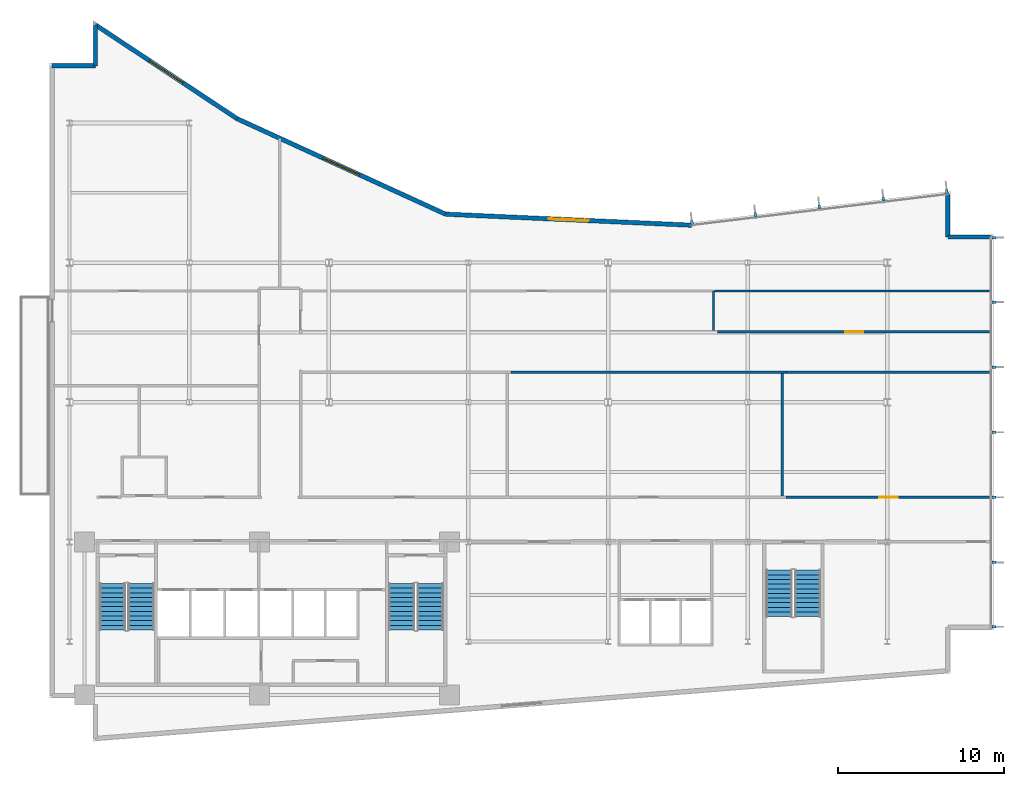
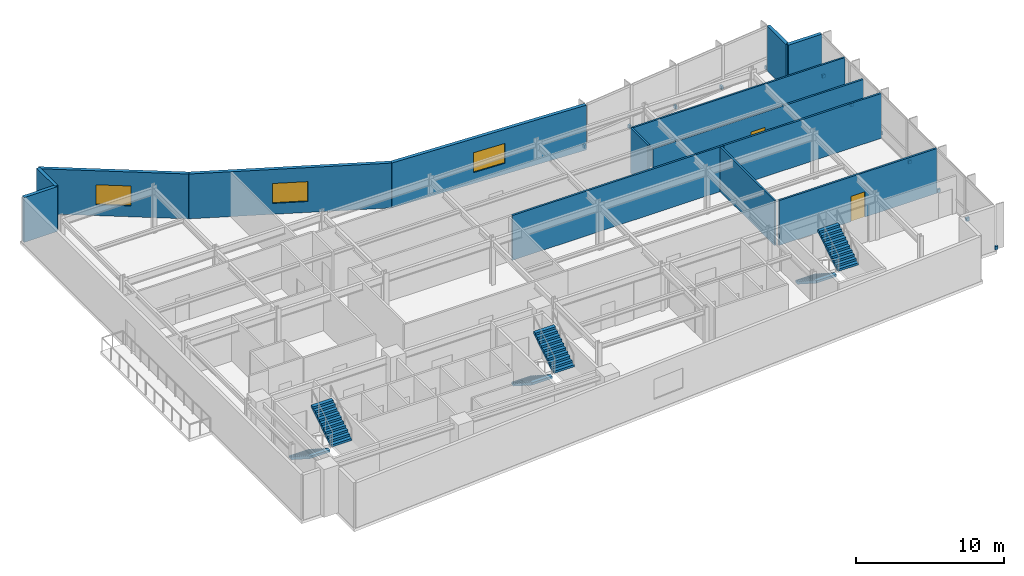
# One storey, part 12 of 16: 14 walls, 12 discrete accessories, 6 stair flights, 3 windows, 2 doors, 5 openings, 3 elements without a shape of their own.
"""IFC4 building model written with IfcOpenShell, lengths in metres."""

from ifc_helpers import new_model, si_unit, direction, frame, frame_2d, origin, origin_2d, place, context, subcontext, project, spatial, polyline, rectangle, outline, extrude, material, layer, layer_set, type_object, element, fill, aggregate, save


model = new_model("IFC4")

# Units and contexts
model_context = context("Model", 3, precision=1e-05, world=origin(), true_north=direction((0.0, 1.0)))
body_context = subcontext(model_context, "Body", "Model", "MODEL_VIEW")
ifc_project = project(units=[si_unit("LENGTHUNIT", "METRE"), si_unit("AREAUNIT", "SQUARE_METRE"), si_unit("VOLUMEUNIT", "CUBIC_METRE"), si_unit("PLANEANGLEUNIT", "RADIAN"), si_unit("MASSUNIT", "GRAM", prefix="KILO")], contexts=[model_context])

# Site, building, storey
site_placement = place(None, origin())
site = spatial("IfcSite", under=ifc_project, at=site_placement, CompositionType="ELEMENT")
building_placement = place(site_placement, origin())
building = spatial("IfcBuilding", under=site, at=building_placement, Name="Varnakote Quay Hospital", CompositionType="ELEMENT")
storey_placement = place(building_placement, frame((0.0, 0.0, 166.550048828125)))
storey = spatial("IfcBuildingStorey", under=building, at=storey_placement, Name="L41", CompositionType="ELEMENT", Elevation=166.550048828125)

# Walls
ifc_material_1 = material(Name="Precast concrete N50 (f'c 50 MPa)", Category="concrete")
ifc_layer_1 = layer(ifc_material_1, 0.260009765625)
ifc_layer_set_1 = layer_set([ifc_layer_1], Name="Precast concrete N50 (f'c 50 MPa)")
wall_type_1 = type_object("IfcWallType", Name="WL-EXT-BRICK-260", PredefinedType="STANDARD", material=ifc_layer_set_1)
wall_1_placement = place(storey_placement, frame((56.639892578125, 30.340087890625, 0.0), z_axis=(0.0, 0.0, 1.0), x_axis=(-1.0, 0.0, 0.0)))
element("IfcWall", 1, at=wall_1_placement, inside=storey, type_object=wall_type_1, Name="L41 Brick-Faced Precast Exterior Wall", PredefinedType="STANDARD", context=body_context, shape_type="SweptSolid", body=[
    extrude(rectangle(XDim=2.599853515625, YDim=0.260009765625, at=frame_2d((1.2998046875, 0.0))), origin(), (0.0, 0.0, 1.0), 3.7099609375),
])
wall_2_placement = place(storey_placement, frame((54.0400390625, 30.340087890625, 0.0), z_axis=(0.0, 0.0, 1.0), x_axis=(0.0, 1.0, 0.0)))
element("IfcWall", 2, at=wall_2_placement, inside=storey, type_object=wall_type_1, Name="L41 Brick-Faced Precast Exterior Wall", PredefinedType="STANDARD", context=body_context, shape_type="SweptSolid", body=[
    extrude(rectangle(XDim=2.579345703125, YDim=0.260009765625, at=frame_2d((1.28955078125, 0.0))), origin(), (0.0, 0.0, 1.0), 3.7099609375),
])

# Wall, opening, window
wall_3_placement = place(storey_placement, frame((38.630126953125, 31.051513671875, 0.0), z_axis=(0.0, 0.0, 1.0), x_axis=(-0.998996592956, 0.044786239663, 0.0)))
wall_3 = element("IfcWall", 3, at=wall_3_placement, inside=storey, type_object=wall_type_1, Name="L41 Brick-Faced Precast Exterior Wall", PredefinedType="STANDARD", context=body_context, shape_type="SweptSolid", body=[
    extrude(rectangle(XDim=14.827392578125, YDim=0.260009765625, at=frame_2d((7.41357421875, 0.0))), origin(), (0.0, 0.0, 1.0), 3.7099609375),
])
opening_1_placement = place(wall_3_placement, frame((6.213623046875, 0.0, 0.89990234375)))
opening_1 = element("IfcOpeningElement", 4, at=opening_1_placement, cuts=wall_3, Name="Opening WN-0175", PredefinedType="OPENING", context=body_context, shape_type="SweptSolid", body=[
    extrude(rectangle(XDim=2.39990234375, YDim=1.64990234375, at=frame_2d((1.199951171875, 0.824951171875))), frame((0.0, 0.139892578125, 0.0), z_axis=(0.0, -1.0, 0.0), x_axis=(1.0, 0.0, 0.0)), (0.0, 0.0, 1.0), 0.280029296875),
])
ifc_material_2 = material(Name="Double-glazed low-E solar glass", Category="glass")
window_type = type_object("IfcWindowType", Name="WIN-CLIN-2400x1650", PartitioningType="SINGLE_PANEL", PredefinedType="WINDOW", material=ifc_material_2)
window_1_placement = place(opening_1_placement, origin())
window_1 = element("IfcWindow", 5, at=window_1_placement, inside=storey, type_object=window_type, Name="L41 Solar-Control Clinical Window", OverallHeight=1.64990234375, OverallWidth=2.39990234375, PartitioningType="SINGLE_PANEL", PredefinedType="WINDOW", context=body_context, shape_type="SweptSolid", body=[
    extrude(rectangle(XDim=2.39990234375, YDim=1.64990234375, at=frame_2d((1.199951171875, 0.824951171875))), frame((0.0, 0.030029296875, 0.0), z_axis=(0.0, -1.0, 0.0), x_axis=(1.0, 0.0, 0.0)), (0.0, 0.0, 1.0), 0.06005859375),
])
fill(opening_1, window_1)

wall_4_placement = place(storey_placement, frame((23.817626953125, 31.715576171875, 0.0), z_axis=(0.0, 0.0, 1.0), x_axis=(-0.909209527513, 0.416338846471, 0.0)))
wall_4 = element("IfcWall", 6, at=wall_4_placement, inside=storey, type_object=wall_type_1, Name="L41 Brick-Faced Precast Exterior Wall", PredefinedType="STANDARD", context=body_context, shape_type="SweptSolid", body=[
    extrude(rectangle(XDim=13.787353515625, YDim=0.260009765625, at=frame_2d((6.8935546875, 0.0))), origin(), (0.0, 0.0, 1.0), 3.7099609375),
])
opening_2_placement = place(wall_4_placement, frame((5.693603515625, 0.0, 0.89990234375)))
opening_2 = element("IfcOpeningElement", 7, at=opening_2_placement, cuts=wall_4, Name="Opening WN-0176", PredefinedType="OPENING", context=body_context, shape_type="SweptSolid", body=[
    extrude(rectangle(XDim=2.39990234375, YDim=1.64990234375, at=frame_2d((1.199951171875, 0.824951171875))), frame((0.0, 0.139892578125, 0.0), z_axis=(0.0, -1.0, 0.0), x_axis=(1.0, 0.0, 0.0)), (0.0, 0.0, 1.0), 0.280029296875),
])
window_2_placement = place(opening_2_placement, origin())
window_2 = element("IfcWindow", 8, at=window_2_placement, inside=storey, type_object=window_type, Name="L41 Solar-Control Clinical Window", OverallHeight=1.64990234375, OverallWidth=2.39990234375, PartitioningType="SINGLE_PANEL", PredefinedType="WINDOW", context=body_context, shape_type="SweptSolid", body=[
    extrude(rectangle(XDim=2.39990234375, YDim=1.64990234375, at=frame_2d((1.199951171875, 0.824951171875))), frame((0.0, 0.030029296875, 0.0), z_axis=(0.0, -1.0, 0.0), x_axis=(1.0, 0.0, 0.0)), (0.0, 0.0, 1.0), 0.06005859375),
])
fill(opening_2, window_2)

wall_5_placement = place(storey_placement, frame((11.281982421875, 37.455810546875, 0.0), z_axis=(0.0, 0.0, 1.0), x_axis=(-0.833630474253, 0.552322580017, 0.0)))
wall_5 = element("IfcWall", 9, at=wall_5_placement, inside=storey, type_object=wall_type_1, Name="L41 Brick-Faced Precast Exterior Wall", PredefinedType="STANDARD", context=body_context, shape_type="SweptSolid", body=[
    extrude(rectangle(XDim=10.22265625, YDim=0.260009765625, at=frame_2d((5.111328125, 0.0))), origin(), (0.0, 0.0, 1.0), 3.7099609375),
])
opening_3_placement = place(wall_5_placement, frame((3.911376953125, 0.0, 0.89990234375)))
opening_3 = element("IfcOpeningElement", 10, at=opening_3_placement, cuts=wall_5, Name="Opening WN-0177", PredefinedType="OPENING", context=body_context, shape_type="SweptSolid", body=[
    extrude(rectangle(XDim=2.39990234375, YDim=1.64990234375, at=frame_2d((1.199951171875, 0.824951171875))), frame((0.0, 0.139892578125, 0.0), z_axis=(0.0, -1.0, 0.0), x_axis=(1.0, 0.0, 0.0)), (0.0, 0.0, 1.0), 0.280029296875),
])
window_3_placement = place(opening_3_placement, origin())
window_3 = element("IfcWindow", 11, at=window_3_placement, inside=storey, type_object=window_type, Name="L41 Solar-Control Clinical Window", OverallHeight=1.64990234375, OverallWidth=2.39990234375, PartitioningType="SINGLE_PANEL", PredefinedType="WINDOW", context=body_context, shape_type="SweptSolid", body=[
    extrude(rectangle(XDim=2.39990234375, YDim=1.64990234375, at=frame_2d((1.199951171875, 0.824951171875))), frame((0.0, 0.030029296875, 0.0), z_axis=(0.0, -1.0, 0.0), x_axis=(1.0, 0.0, 0.0)), (0.0, 0.0, 1.0), 0.06005859375),
])
fill(opening_3, window_3)

# Walls
wall_6_placement = place(storey_placement, frame((2.760009765625, 43.10205078125, 0.0), z_axis=(0.0, 0.0, 1.0), x_axis=(0.0, -1.0, 0.0)))
element("IfcWall", 12, at=wall_6_placement, inside=storey, type_object=wall_type_1, Name="L41 Brick-Faced Precast Exterior Wall", PredefinedType="STANDARD", context=body_context, shape_type="SweptSolid", body=[
    extrude(rectangle(XDim=2.462158203125, YDim=0.260009765625, at=frame_2d((1.23095703125, 0.0))), origin(), (0.0, 0.0, 1.0), 3.7099609375),
])
wall_7_placement = place(storey_placement, frame((2.760009765625, 40.639892578125, 0.0), z_axis=(0.0, 0.0, 1.0), x_axis=(-1.0, 0.0, 0.0)))
element("IfcWall", 13, at=wall_7_placement, inside=storey, type_object=wall_type_1, Name="L41 Brick-Faced Precast Exterior Wall", PredefinedType="STANDARD", context=body_context, shape_type="SweptSolid", body=[
    extrude(rectangle(XDim=2.60009765625, YDim=0.260009765625, at=frame_2d((1.300048828125, 0.0))), origin(), (0.0, 0.0, 1.0), 3.7099609375),
])
ifc_material_3 = material(Name="Smoke-proof clinical partition", Category="gypsum")
ifc_layer_2 = layer(ifc_material_3, 0.135009765625)
ifc_layer_set_2 = layer_set([ifc_layer_2], Name="Smoke-proof clinical partition")
wall_type_2 = type_object("IfcWallType", Name="WL-SMOKE-135", PredefinedType="PARTITIONING", material=ifc_layer_set_2)
wall_8_placement = place(storey_placement, frame((44.080078125, 14.760009765625, 0.0), z_axis=(0.0, 0.0, 1.0), x_axis=(0.0, 1.0, 0.0)))
element("IfcWall", 14, at=wall_8_placement, inside=storey, type_object=wall_type_2, Name="L41 Clinical Interior Partition", PredefinedType="PARTITIONING", context=body_context, shape_type="SweptSolid", body=[
    extrude(rectangle(XDim=7.360107421875, YDim=0.135009765625, at=frame_2d((3.68017578125, 0.0))), origin(), (0.0, 0.0, 1.0), 3.7099609375),
])
wall_9_placement = place(storey_placement, frame((39.949951171875, 24.715087890625, 0.0), z_axis=(0.0, 0.0, 1.0), x_axis=(0.0, 1.0, 0.0)))
element("IfcWall", 15, at=wall_9_placement, inside=storey, type_object=wall_type_2, Name="L41 Clinical Interior Partition", PredefinedType="PARTITIONING", context=body_context, shape_type="SweptSolid", body=[
    extrude(rectangle(XDim=2.385009765625, YDim=0.135009765625, at=frame_2d((1.1923828125, 0.0))), origin(), (0.0, 0.0, 1.0), 3.7099609375),
])
wall_10_placement = place(storey_placement, frame((56.639892578125, 27.10009765625, 0.0), z_axis=(0.0, 0.0, 1.0), x_axis=(-1.0, 0.0, 0.0)))
element("IfcWall", 16, at=wall_10_placement, inside=storey, type_object=wall_type_2, Name="L41 Clinical Interior Partition", PredefinedType="PARTITIONING", context=body_context, shape_type="SweptSolid", body=[
    extrude(rectangle(XDim=16.63232421875, YDim=0.135009765625, at=frame_2d((8.316162109375, 0.0))), origin(), (0.0, 0.0, 1.0), 3.7099609375),
])

# Wall, opening, door
ifc_material_4 = material(Name="Fire-rated clinical gypsum partition", Category="gypsum")
ifc_layer_3 = layer(ifc_material_4, 0.14990234375)
ifc_layer_set_3 = layer_set([ifc_layer_3], Name="Fire-rated clinical gypsum partition")
wall_type_3 = type_object("IfcWallType", Name="WL-WARD-150", PredefinedType="PARTITIONING", material=ifc_layer_set_3)
wall_11_placement = place(storey_placement, frame((56.639892578125, 14.679931640625, 0.0), z_axis=(0.0, 0.0, 1.0), x_axis=(-1.0, 0.0, 0.0)))
wall_11 = element("IfcWall", 17, at=wall_11_placement, inside=storey, type_object=wall_type_3, Name="L41 Clinical Interior Partition", PredefinedType="PARTITIONING", context=body_context, shape_type="SweptSolid", body=[
    extrude(rectangle(XDim=12.331787109375, YDim=0.14990234375, at=frame_2d((6.166015625, 0.0))), origin(), (0.0, 0.0, 1.0), 3.7099609375),
])
opening_4_placement = place(wall_11_placement, frame((5.615966796875, 0.0, 0.0)))
opening_4 = element("IfcOpeningElement", 18, at=opening_4_placement, cuts=wall_11, Name="Opening D-L41-MD05", PredefinedType="OPENING", context=body_context, shape_type="SweptSolid", body=[
    extrude(rectangle(XDim=1.10009765625, YDim=2.10009765625, at=frame_2d((0.550048828125, 1.050048828125))), frame((0.0, 0.0849609375, 0.0), z_axis=(0.0, -1.0, 0.0), x_axis=(1.0, 0.0, 0.0)), (0.0, 0.0, 1.0), 0.169921875),
])
ifc_material_5 = material(Name="Acoustic timber clinical consult door", Category="wood")
door_type = type_object("IfcDoorType", Name="DR-CLIN-FD30S-1100x2100", OperationType="NOTDEFINED", PredefinedType="DOOR", material=ifc_material_5)
door_1_placement = place(opening_4_placement, origin())
door_1 = element("IfcDoor", 19, at=door_1_placement, inside=storey, type_object=door_type, Name="L41 Maternal Recovery Treatment Suite Door", OperationType="SINGLE_SWING_LEFT", OverallHeight=2.10009765625, OverallWidth=1.10009765625, PredefinedType="DOOR", context=body_context, shape_type="SweptSolid", body=[
    extrude(rectangle(XDim=1.10009765625, YDim=2.10009765625, at=frame_2d((0.550048828125, 1.050048828125))), frame((0.0, 0.02490234375, 0.0), z_axis=(0.0, -1.0, 0.0), x_axis=(1.0, 0.0, 0.0)), (0.0, 0.0, 1.0), 0.050048828125),
])
fill(opening_4, door_1)

# Walls
wall_12_placement = place(storey_placement, frame((27.758056640625, 22.199951171875, 0.0), z_axis=(0.0, 0.0, 1.0), x_axis=(1.0, 0.0, 0.0)))
element("IfcWall", 20, at=wall_12_placement, inside=storey, type_object=wall_type_3, Name="L41 Clinical Interior Partition", PredefinedType="PARTITIONING", context=body_context, shape_type="SweptSolid", body=[
    extrude(rectangle(XDim=16.5478515625, YDim=0.14990234375, at=frame_2d((8.27392578125, 0.0))), origin(), (0.0, 0.0, 1.0), 3.7099609375),
])
wall_13_placement = place(storey_placement, frame((44.30810546875, 22.199951171875, 0.0), z_axis=(0.0, 0.0, 1.0), x_axis=(1.0, 0.0, 0.0)))
element("IfcWall", 21, at=wall_13_placement, inside=storey, type_object=wall_type_3, Name="L41 Clinical Interior Partition", PredefinedType="PARTITIONING", context=body_context, shape_type="SweptSolid", body=[
    extrude(rectangle(XDim=12.331787109375, YDim=0.14990234375, at=frame_2d((6.166015625, 0.0))), origin(), (0.0, 0.0, 1.0), 3.7099609375),
])

# Wall, opening, door
wall_14_placement = place(storey_placement, frame((56.639892578125, 24.64990234375, 0.0), z_axis=(0.0, 0.0, 1.0), x_axis=(-1.0, 0.0, 0.0)))
wall_14 = element("IfcWall", 22, at=wall_14_placement, inside=storey, type_object=wall_type_3, Name="L41 Clinical Interior Partition", PredefinedType="PARTITIONING", context=body_context, shape_type="SweptSolid", body=[
    extrude(rectangle(XDim=16.4619140625, YDim=0.14990234375, at=frame_2d((8.23095703125, 0.0))), origin(), (0.0, 0.0, 1.0), 3.3779296875),
])
opening_5_placement = place(wall_14_placement, frame((7.680908203125, 0.0, 0.0)))
opening_5 = element("IfcOpeningElement", 23, at=opening_5_placement, cuts=wall_14, Name="Opening D-L41-MD07", PredefinedType="OPENING", context=body_context, shape_type="SweptSolid", body=[
    extrude(rectangle(XDim=1.10009765625, YDim=2.10009765625, at=frame_2d((0.550048828125, 1.050048828125))), frame((0.0, 0.0849609375, 0.0), z_axis=(0.0, -1.0, 0.0), x_axis=(1.0, 0.0, 0.0)), (0.0, 0.0, 1.0), 0.169921875),
])
door_2_placement = place(opening_5_placement, origin())
door_2 = element("IfcDoor", 24, at=door_2_placement, inside=storey, type_object=door_type, Name="L41 Ward Beverage Pantry Door", OperationType="SINGLE_SWING_RIGHT", OverallHeight=2.10009765625, OverallWidth=1.10009765625, PredefinedType="DOOR", context=body_context, shape_type="SweptSolid", body=[
    extrude(rectangle(XDim=1.10009765625, YDim=2.10009765625, at=frame_2d((0.550048828125, 1.050048828125))), frame((0.0, 0.02490234375, 0.0), z_axis=(0.0, -1.0, 0.0), x_axis=(1.0, 0.0, 0.0)), (0.0, 0.0, 1.0), 0.050048828125),
])
fill(opening_5, door_2)

# Stair, stair flights
ifc_material_6 = material(Name="Concrete N40 (f'c 40 MPa)", Category="concrete")
stair_type = type_object("IfcStairType", Name="STR-CORE-1580", PredefinedType="HALF_TURN_STAIR", material=ifc_material_6)
stair_1_placement = place(storey_placement, origin())
stair_1 = element("IfcStair", 25, at=stair_1_placement, inside=storey, type_object=stair_type, Name="L41 Fire-Isolated Exit Stair ST-01", PredefinedType="HALF_TURN_STAIR")
ifc_material_7 = material(Name="Concrete N40 (f'c 40 MPa)", Category="concrete")
ifc_layer_4 = layer(ifc_material_7, 0.159912109375)
ifc_layer_set_4 = layer_set([ifc_layer_4], Name="Concrete N40 (f'c 40 MPa)")
stair_flight_type = type_object("IfcStairFlightType", Name="FLT-CORE-1580", PredefinedType="STRAIGHT", material=ifc_layer_set_4)
stair_flight_1_placement = place(storey_placement, frame((3.7900390625, 9.5, 0.0), z_axis=(0.0, 0.0, 1.0), x_axis=(0.0, -1.0, 0.0)))
stair_flight_1 = element("IfcStairFlight", 26, at=stair_flight_1_placement, type_object=stair_flight_type, Name="ST-01 flight 1", NumberOfRisers=11, NumberOfTreads=10, PredefinedType="STRAIGHT", RiserHeight=0.179545455, TreadLength=0.28, context=body_context, shape_type="SweptSolid", body=[
    extrude(outline(polyline([(0.0, 0.0), (0.0, 0.179443359375), (0.280029296875, 0.179443359375), (0.280029296875, 0.359130859375), (0.56005859375, 0.359130859375), (0.56005859375, 0.53857421875), (0.840087890625, 0.53857421875), (0.840087890625, 0.71826171875), (1.1201171875, 0.71826171875), (1.1201171875, 0.897705078125), (1.39990234375, 0.897705078125), (1.39990234375, 1.077392578125), (1.679931640625, 1.077392578125), (1.679931640625, 1.2568359375), (1.9599609375, 1.2568359375), (1.9599609375, 1.436279296875), (2.239990234375, 1.436279296875), (2.239990234375, 1.615966796875), (2.52001953125, 1.615966796875), (2.52001953125, 1.79541015625), (2.800048828125, 1.79541015625), (2.800048828125, 1.97509765625), (2.800048828125, 1.60546875), (0.296142578125, 0.0), (0.0, 0.0)])), frame((0.0, 0.7900390625, 0.0), z_axis=(0.0, -1.0, 0.0), x_axis=(1.0, 0.0, 0.0)), (0.0, 0.0, 1.0), 1.580078125),
])
stair_flight_2_placement = place(storey_placement, frame((5.510009765625, 6.699951171875, 1.974853515625), z_axis=(0.0, 0.0, 1.0), x_axis=(0.0, 1.0, 0.0)))
stair_flight_2 = element("IfcStairFlight", 27, at=stair_flight_2_placement, type_object=stair_flight_type, Name="ST-01 flight 2", NumberOfRisers=11, NumberOfTreads=10, PredefinedType="STRAIGHT", RiserHeight=0.179545455, TreadLength=0.28, context=body_context, shape_type="SweptSolid", body=[
    extrude(outline(polyline([(0.0, 0.0), (0.0, 0.179443359375), (0.280029296875, 0.179443359375), (0.280029296875, 0.359130859375), (0.56005859375, 0.359130859375), (0.56005859375, 0.53857421875), (0.840087890625, 0.53857421875), (0.840087890625, 0.71826171875), (1.1201171875, 0.71826171875), (1.1201171875, 0.897705078125), (1.39990234375, 0.897705078125), (1.39990234375, 1.077392578125), (1.679931640625, 1.077392578125), (1.679931640625, 1.2568359375), (1.9599609375, 1.2568359375), (1.9599609375, 1.436279296875), (2.239990234375, 1.436279296875), (2.239990234375, 1.615966796875), (2.52001953125, 1.615966796875), (2.52001953125, 1.79541015625), (2.800048828125, 1.79541015625), (2.800048828125, 1.97509765625), (2.800048828125, 1.60546875), (0.296142578125, 0.0), (0.0, 0.0)])), frame((0.0, 0.7900390625, 0.0), z_axis=(0.0, -1.0, 0.0), x_axis=(1.0, 0.0, 0.0)), (0.0, 0.0, 1.0), 1.580078125),
])
aggregate(stair_1, [stair_flight_1, stair_flight_2])

stair_2_placement = place(storey_placement, origin())
stair_2 = element("IfcStair", 28, at=stair_2_placement, inside=storey, type_object=stair_type, Name="L41 Fire-Isolated Exit Stair ST-02", PredefinedType="HALF_TURN_STAIR")
stair_flight_3_placement = place(storey_placement, frame((21.18994140625, 9.5, 0.0), z_axis=(0.0, 0.0, 1.0), x_axis=(0.0, -1.0, 0.0)))
stair_flight_3 = element("IfcStairFlight", 29, at=stair_flight_3_placement, type_object=stair_flight_type, Name="ST-02 flight 1", NumberOfRisers=11, NumberOfTreads=10, PredefinedType="STRAIGHT", RiserHeight=0.179545455, TreadLength=0.28, context=body_context, shape_type="SweptSolid", body=[
    extrude(outline(polyline([(0.0, 0.0), (0.0, 0.179443359375), (0.280029296875, 0.179443359375), (0.280029296875, 0.359130859375), (0.56005859375, 0.359130859375), (0.56005859375, 0.53857421875), (0.840087890625, 0.53857421875), (0.840087890625, 0.71826171875), (1.1201171875, 0.71826171875), (1.1201171875, 0.897705078125), (1.39990234375, 0.897705078125), (1.39990234375, 1.077392578125), (1.679931640625, 1.077392578125), (1.679931640625, 1.2568359375), (1.9599609375, 1.2568359375), (1.9599609375, 1.436279296875), (2.239990234375, 1.436279296875), (2.239990234375, 1.615966796875), (2.52001953125, 1.615966796875), (2.52001953125, 1.79541015625), (2.800048828125, 1.79541015625), (2.800048828125, 1.97509765625), (2.800048828125, 1.60546875), (0.296142578125, 0.0), (0.0, 0.0)])), frame((0.0, 0.7900390625, 0.0), z_axis=(0.0, -1.0, 0.0), x_axis=(1.0, 0.0, 0.0)), (0.0, 0.0, 1.0), 1.580078125),
])
stair_flight_4_placement = place(storey_placement, frame((22.909912109375, 6.699951171875, 1.974853515625), z_axis=(0.0, 0.0, 1.0), x_axis=(0.0, 1.0, 0.0)))
stair_flight_4 = element("IfcStairFlight", 30, at=stair_flight_4_placement, type_object=stair_flight_type, Name="ST-02 flight 2", NumberOfRisers=11, NumberOfTreads=10, PredefinedType="STRAIGHT", RiserHeight=0.179545455, TreadLength=0.28, context=body_context, shape_type="SweptSolid", body=[
    extrude(outline(polyline([(0.0, 0.0), (0.0, 0.179443359375), (0.280029296875, 0.179443359375), (0.280029296875, 0.359130859375), (0.56005859375, 0.359130859375), (0.56005859375, 0.53857421875), (0.840087890625, 0.53857421875), (0.840087890625, 0.71826171875), (1.1201171875, 0.71826171875), (1.1201171875, 0.897705078125), (1.39990234375, 0.897705078125), (1.39990234375, 1.077392578125), (1.679931640625, 1.077392578125), (1.679931640625, 1.2568359375), (1.9599609375, 1.2568359375), (1.9599609375, 1.436279296875), (2.239990234375, 1.436279296875), (2.239990234375, 1.615966796875), (2.52001953125, 1.615966796875), (2.52001953125, 1.79541015625), (2.800048828125, 1.79541015625), (2.800048828125, 1.97509765625), (2.800048828125, 1.60546875), (0.296142578125, 0.0), (0.0, 0.0)])), frame((0.0, 0.7900390625, 0.0), z_axis=(0.0, -1.0, 0.0), x_axis=(1.0, 0.0, 0.0)), (0.0, 0.0, 1.0), 1.580078125),
])
aggregate(stair_2, [stair_flight_3, stair_flight_4])

stair_3_placement = place(storey_placement, origin())
stair_3 = element("IfcStair", 31, at=stair_3_placement, inside=storey, type_object=stair_type, Name="L41 Fire-Isolated Exit Stair ST-03", PredefinedType="HALF_TURN_STAIR")
stair_flight_5_placement = place(storey_placement, frame((43.889892578125, 10.300048828125, 0.0), z_axis=(0.0, 0.0, 1.0), x_axis=(0.0, -1.0, 0.0)))
stair_flight_5 = element("IfcStairFlight", 32, at=stair_flight_5_placement, type_object=stair_flight_type, Name="ST-03 flight 1", NumberOfRisers=11, NumberOfTreads=10, PredefinedType="STRAIGHT", RiserHeight=0.179545455, TreadLength=0.28, context=body_context, shape_type="SweptSolid", body=[
    extrude(outline(polyline([(0.0, 0.0), (0.0, 0.179443359375), (0.280029296875, 0.179443359375), (0.280029296875, 0.359130859375), (0.56005859375, 0.359130859375), (0.56005859375, 0.53857421875), (0.840087890625, 0.53857421875), (0.840087890625, 0.71826171875), (1.1201171875, 0.71826171875), (1.1201171875, 0.897705078125), (1.39990234375, 0.897705078125), (1.39990234375, 1.077392578125), (1.679931640625, 1.077392578125), (1.679931640625, 1.2568359375), (1.9599609375, 1.2568359375), (1.9599609375, 1.436279296875), (2.239990234375, 1.436279296875), (2.239990234375, 1.615966796875), (2.52001953125, 1.615966796875), (2.52001953125, 1.79541015625), (2.800048828125, 1.79541015625), (2.800048828125, 1.97509765625), (2.800048828125, 1.60546875), (0.296142578125, 0.0), (0.0, 0.0)])), frame((0.0, 0.7900390625, 0.0), z_axis=(0.0, -1.0, 0.0), x_axis=(1.0, 0.0, 0.0)), (0.0, 0.0, 1.0), 1.580078125),
])
stair_flight_6_placement = place(storey_placement, frame((45.610107421875, 7.5, 1.974853515625), z_axis=(0.0, 0.0, 1.0), x_axis=(0.0, 1.0, 0.0)))
stair_flight_6 = element("IfcStairFlight", 33, at=stair_flight_6_placement, type_object=stair_flight_type, Name="ST-03 flight 2", NumberOfRisers=11, NumberOfTreads=10, PredefinedType="STRAIGHT", RiserHeight=0.179545455, TreadLength=0.28, context=body_context, shape_type="SweptSolid", body=[
    extrude(outline(polyline([(0.0, 0.0), (0.0, 0.179443359375), (0.280029296875, 0.179443359375), (0.280029296875, 0.359130859375), (0.56005859375, 0.359130859375), (0.56005859375, 0.53857421875), (0.840087890625, 0.53857421875), (0.840087890625, 0.71826171875), (1.1201171875, 0.71826171875), (1.1201171875, 0.897705078125), (1.39990234375, 0.897705078125), (1.39990234375, 1.077392578125), (1.679931640625, 1.077392578125), (1.679931640625, 1.2568359375), (1.9599609375, 1.2568359375), (1.9599609375, 1.436279296875), (2.239990234375, 1.436279296875), (2.239990234375, 1.615966796875), (2.52001953125, 1.615966796875), (2.52001953125, 1.79541015625), (2.800048828125, 1.79541015625), (2.800048828125, 1.97509765625), (2.800048828125, 1.60546875), (0.296142578125, 0.0), (0.0, 0.0)])), frame((0.0, 0.7900390625, 0.0), z_axis=(0.0, -1.0, 0.0), x_axis=(1.0, 0.0, 0.0)), (0.0, 0.0, 1.0), 1.580078125),
])
aggregate(stair_3, [stair_flight_5, stair_flight_6])

# Discrete accessories
ifc_material_8 = material(Name="Anodised aluminium 6063-T6 Bronze", Category="aluminium")
discrete_accessory_type = type_object("IfcDiscreteAccessoryType", Name="ACC-FIN-BRACKET-180", PredefinedType="BRACKET", material=ifc_material_8)
for number, where, z_axis, x_axis, name in (
    (34, (56.81005859375, 6.8974609375, 0.0), (0.0, 0.0, 1.0), (0.0, 1.0, 0.0), "L41 Curtain Wall Fin Fixing Bracket"),
    (35, (56.81005859375, 10.773193359375, 0.0), (0.0, 0.0, 1.0), (0.0, 1.0, 0.0), "L41 Curtain Wall Fin Fixing Bracket"),
    (36, (56.81005859375, 14.686767578125, 0.0), (0.0, 0.0, 1.0), (0.0, 1.0, 0.0), "L41 Curtain Wall Fin Fixing Bracket"),
    (37, (56.81005859375, 18.60009765625, 0.0), (0.0, 0.0, 1.0), (0.0, 1.0, 0.0), "L41 Curtain Wall Fin Fixing Bracket"),
    (38, (56.81005859375, 22.51318359375, 0.0), (0.0, 0.0, 1.0), (0.0, 1.0, 0.0), "L41 Curtain Wall Fin Fixing Bracket"),
    (39, (56.81005859375, 26.4267578125, 0.0), (0.0, 0.0, 1.0), (0.0, 1.0, 0.0), "L41 Curtain Wall Fin Fixing Bracket"),
    (40, (56.81005859375, 30.302490234375, 0.0), (0.0, 0.0, 1.0), (0.0, 1.0, 0.0), "L41 Curtain Wall Fin Fixing Bracket"),
    (41, (53.982421875, 33.083740234375, 0.0), (0.0, 0.0, 1.0), (-0.992736358975, -0.120310105847, 0.0), "L41 Curtain Wall Fin Fixing Bracket"),
    (42, (50.1669921875, 32.62109375, 0.0), (0.0, 0.0, 1.0), (-0.992736358975, -0.120310105847, 0.0), "L41 Curtain Wall Fin Fixing Bracket"),
    (43, (46.314697265625, 32.154296875, 0.0), (0.0, 0.0, 1.0), (-0.992736358975, -0.120310105847, 0.0), "L41 Curtain Wall Fin Fixing Bracket"),
    (44, (42.462158203125, 31.687255859375, 0.0), (0.0, 0.0, 1.0), (-0.992736358975, -0.120310105847, 0.0), "L41 Curtain Wall Fin Fixing Bracket"),
    (45, (38.64697265625, 31.224853515625, 0.0), (0.0, 0.0, 1.0), (-0.992736358975, -0.120310105847, 0.0), "L41 Curtain Wall Fin Fixing Bracket"),
):
    element("IfcDiscreteAccessory", number, at=place(storey_placement, frame(where, z_axis=z_axis, x_axis=x_axis)), inside=storey, type_object=discrete_accessory_type, Name=name, PredefinedType="BRACKET", context=body_context, shape_type="SweptSolid", body=[
        extrude(rectangle(XDim=0.159912109375, YDim=0.239990234375, at=origin_2d()), origin(), (0.0, 0.0, 1.0), 0.280029296875),
    ])

save(model, "model.ifc")
